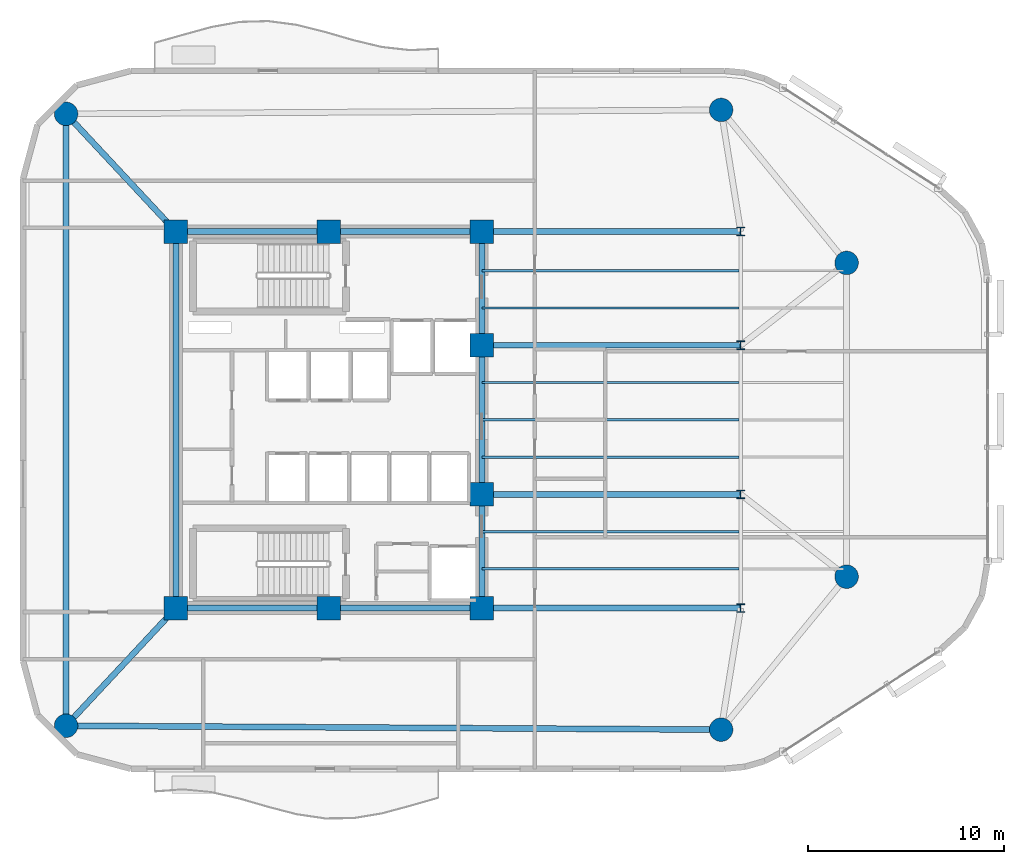
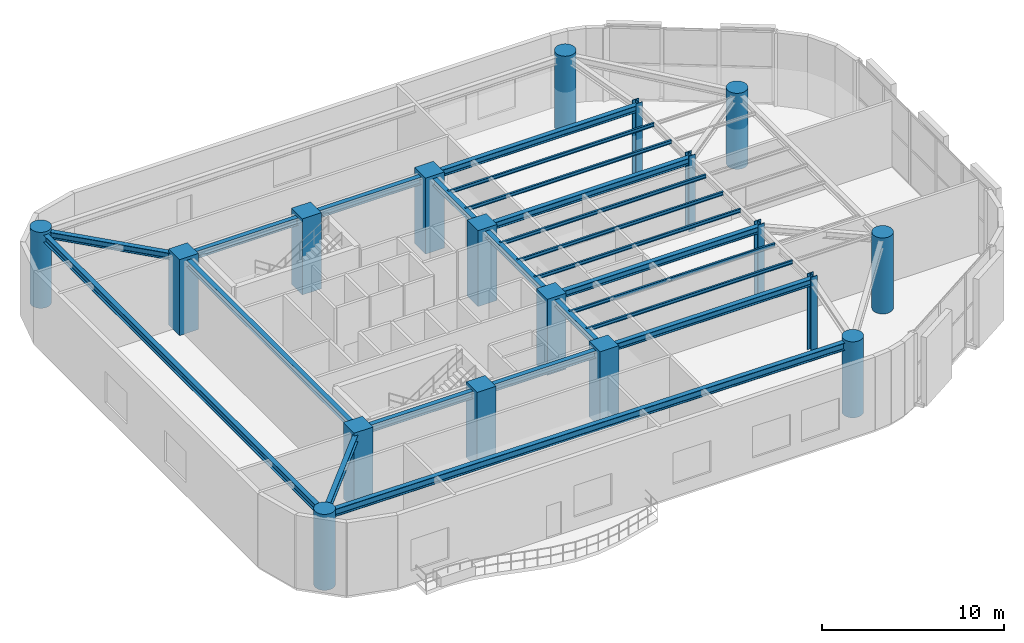
# One storey, part 1 of 12: 21 beams, 18 columns.
"""IFC4 building model written with IfcOpenShell, lengths in metres."""

from ifc_helpers import new_model, si_unit, direction, frame, origin, origin_2d, place, context, subcontext, project, spatial, rectangle, circle, i_section, extrude, material, material_profile, profile_set, type_object, element, save


model = new_model("IFC4")

# Units and contexts
model_context = context("Model", 3, precision=1e-05, world=origin(), true_north=direction((0.0, 1.0)))
body_context = subcontext(model_context, "Body", "Model", "MODEL_VIEW")
ifc_project = project(units=[si_unit("LENGTHUNIT", "METRE"), si_unit("AREAUNIT", "SQUARE_METRE"), si_unit("VOLUMEUNIT", "CUBIC_METRE"), si_unit("PLANEANGLEUNIT", "RADIAN"), si_unit("MASSUNIT", "GRAM", prefix="KILO")], contexts=[model_context])

# Site, building, storey
site_placement = place(None, origin())
site = spatial("IfcSite", under=ifc_project, at=site_placement, CompositionType="ELEMENT")
building_placement = place(site_placement, origin())
building = spatial("IfcBuilding", under=site, at=building_placement, Name="An Khanh Terracotta Commons", CompositionType="ELEMENT")
storey_placement = place(building_placement, frame((0.0, 0.0, 138.699951171875)))
storey = spatial("IfcBuildingStorey", under=building, at=storey_placement, Name="L36", CompositionType="ELEMENT", Elevation=138.699951171875)

# Columns
ifc_material_1 = material(Name="Concrete C60/75", Category="concrete")
ifc_material_profile_1 = material_profile(ifc_material_1, circle(Radius=0.60009765625, at=origin_2d()), Name="CFST1200")
ifc_profile_set_1 = profile_set([ifc_material_profile_1], Name="Concrete C60/75")
column_type_1 = type_object("IfcColumnType", Name="COL-CFST1200", PredefinedType="COLUMN", material=ifc_profile_set_1)
for number, where, z_axis, x_axis, name in (
    (1, (16.0, 8.39990234375, 0.0), (0.0, 0.0, 1.0), (1.0, 0.0, 0.0), "L36 Perimeter CFST Mega-Column MC-01"),
    (2, (49.39990234375, 8.199951171875, 0.0), (0.0, 0.0, 1.0), (1.0, 0.0, 0.0), "L36 Perimeter CFST Mega-Column MC-02"),
    (3, (55.800048828125, 16.0, 0.0), (0.0, 0.0, 1.0), (1.0, 0.0, 0.0), "L36 Perimeter CFST Mega-Column MC-03"),
    (4, (55.800048828125, 32.0, 0.0), (0.0, 0.0, 1.0), (1.0, 0.0, 0.0), "L36 Perimeter CFST Mega-Column MC-04"),
    (5, (49.39990234375, 39.800048828125, 0.0), (0.0, 0.0, 1.0), (1.0, 0.0, 0.0), "L36 Perimeter CFST Mega-Column MC-05"),
    (6, (16.0, 39.60009765625, 0.0), (0.0, 0.0, 1.0), (1.0, 0.0, 0.0), "L36 Perimeter CFST Mega-Column MC-06"),
):
    element("IfcColumn", number, at=place(storey_placement, frame(where, z_axis=z_axis, x_axis=x_axis)), inside=storey, type_object=column_type_1, Name=name, PredefinedType="COLUMN", context=body_context, shape_type="SweptSolid", body=[
        extrude(circle(Radius=0.60009765625, at=origin_2d()), origin(), (0.0, 0.0, 1.0), 5.10009765625),
    ])
ifc_material_2 = material(Name="Steel S460ML", Category="steel")
ifc_material_profile_2 = material_profile(ifc_material_2, i_section(OverallWidth=0.406005859375, OverallDepth=0.43994140625, WebThickness=0.02392578125, FlangeThickness=0.0390625, FilletRadius=0.014892578125, at=origin_2d()), Name="HD400x314")
ifc_profile_set_2 = profile_set([ifc_material_profile_2], Name="Steel S460ML")
column_type_2 = type_object("IfcColumnType", Name="COL-HD400x314", PredefinedType="COLUMN", material=ifc_profile_set_2)
for number, where, z_axis, x_axis, name in (
    (7, (50.39990234375, 14.39990234375, 0.0), (0.0, 0.0, 1.0), (1.0, 0.0, 0.0), "L36 Interior Frame Column TC-01"),
    (8, (50.39990234375, 20.199951171875, 0.0), (0.0, 0.0, 1.0), (1.0, 0.0, 0.0), "L36 Interior Frame Column TC-02"),
    (9, (50.39990234375, 27.800048828125, 0.0), (0.0, 0.0, 1.0), (1.0, 0.0, 0.0), "L36 Interior Frame Column TC-03"),
    (10, (50.39990234375, 33.60009765625, 0.0), (0.0, 0.0, 1.0), (1.0, 0.0, 0.0), "L36 Interior Frame Column TC-04"),
):
    element("IfcColumn", number, at=place(storey_placement, frame(where, z_axis=z_axis, x_axis=x_axis)), inside=storey, type_object=column_type_2, Name=name, PredefinedType="COLUMN", context=body_context, shape_type="SweptSolid", body=[
        extrude(i_section(OverallWidth=0.406005859375, OverallDepth=0.43994140625, WebThickness=0.02392578125, FlangeThickness=0.0390625, FilletRadius=0.014892578125, at=origin_2d()), origin(), (0.0, 0.0, 1.0), 5.10009765625),
    ])
ifc_material_profile_3 = material_profile(ifc_material_1, rectangle(XDim=1.199951171875, YDim=1.199951171875, at=origin_2d()), Name="RC1200x1200")
ifc_profile_set_3 = profile_set([ifc_material_profile_3], Name="Concrete C60/75")
column_type_3 = type_object("IfcColumnType", Name="COL-RC1200x1200", PredefinedType="COLUMN", material=ifc_profile_set_3)
for number, where, z_axis, x_axis, name in (
    (11, (21.60009765625, 14.39990234375, 0.0), (0.0, 0.0, 1.0), (1.0, 0.0, 0.0), "L36 Core Boundary Column CC-01"),
    (12, (29.39990234375, 14.39990234375, 0.0), (0.0, 0.0, 1.0), (1.0, 0.0, 0.0), "L36 Core Boundary Column CC-02"),
    (13, (37.199951171875, 14.39990234375, 0.0), (0.0, 0.0, 1.0), (1.0, 0.0, 0.0), "L36 Core Boundary Column CC-03"),
    (14, (37.199951171875, 20.199951171875, 0.0), (0.0, 0.0, 1.0), (1.0, 0.0, 0.0), "L36 Core Boundary Column CC-04"),
    (15, (37.199951171875, 27.800048828125, 0.0), (0.0, 0.0, 1.0), (1.0, 0.0, 0.0), "L36 Core Boundary Column CC-05"),
    (16, (37.199951171875, 33.60009765625, 0.0), (0.0, 0.0, 1.0), (1.0, 0.0, 0.0), "L36 Core Boundary Column CC-06"),
    (17, (29.39990234375, 33.60009765625, 0.0), (0.0, 0.0, 1.0), (1.0, 0.0, 0.0), "L36 Core Boundary Column CC-07"),
    (18, (21.60009765625, 33.60009765625, 0.0), (0.0, 0.0, 1.0), (1.0, 0.0, 0.0), "L36 Core Boundary Column CC-08"),
):
    element("IfcColumn", number, at=place(storey_placement, frame(where, z_axis=z_axis, x_axis=x_axis)), inside=storey, type_object=column_type_3, Name=name, PredefinedType="COLUMN", context=body_context, shape_type="SweptSolid", body=[
        extrude(rectangle(XDim=1.199951171875, YDim=1.199951171875, at=origin_2d()), origin(), (0.0, 0.0, 1.0), 5.10009765625),
    ])

# Beams
ifc_material_3 = material(Name="Steel S355J2", Category="steel")
ifc_material_profile_4 = material_profile(ifc_material_3, i_section(OverallWidth=0.300048828125, OverallDepth=0.449951171875, WebThickness=0.013916015625, FlangeThickness=0.02587890625, FilletRadius=0.027099609375, at=origin_2d()), Name="HEB450")
ifc_profile_set_4 = profile_set([ifc_material_profile_4], Name="Steel S355J2")
beam_type_1 = type_object("IfcBeamType", Name="BM-HEB450", PredefinedType="BEAM", material=ifc_profile_set_4)
beam_1_placement = place(storey_placement, frame((37.199951171875, 14.39990234375, 4.675048828125), z_axis=(0.0, 1.0, 0.0), x_axis=(-1.0, 0.0, 0.0)))
element("IfcBeam", 19, at=beam_1_placement, inside=storey, type_object=beam_type_1, Name="L36 Core East Coupling Girder 1", PredefinedType="BEAM", context=body_context, shape_type="SweptSolid", body=[
    extrude(i_section(OverallWidth=0.300048828125, OverallDepth=0.449951171875, WebThickness=0.013916015625, FlangeThickness=0.02587890625, FilletRadius=0.027099609375, at=origin_2d()), origin(), (0.0, 0.0, 1.0), 5.800048828125),
])
beam_2_placement = place(storey_placement, frame((37.199951171875, 20.199951171875, 4.675048828125), z_axis=(0.0, 1.0, 0.0), x_axis=(-1.0, 0.0, 0.0)))
element("IfcBeam", 20, at=beam_2_placement, inside=storey, type_object=beam_type_1, Name="L36 Core East Coupling Girder 2", PredefinedType="BEAM", context=body_context, shape_type="SweptSolid", body=[
    extrude(i_section(OverallWidth=0.300048828125, OverallDepth=0.449951171875, WebThickness=0.013916015625, FlangeThickness=0.02587890625, FilletRadius=0.027099609375, at=origin_2d()), origin(), (0.0, 0.0, 1.0), 7.60009765625),
])
beam_3_placement = place(storey_placement, frame((37.199951171875, 27.800048828125, 4.675048828125), z_axis=(0.0, 1.0, 0.0), x_axis=(-1.0, 0.0, 0.0)))
element("IfcBeam", 21, at=beam_3_placement, inside=storey, type_object=beam_type_1, Name="L36 Core East Coupling Girder 3", PredefinedType="BEAM", context=body_context, shape_type="SweptSolid", body=[
    extrude(i_section(OverallWidth=0.300048828125, OverallDepth=0.449951171875, WebThickness=0.013916015625, FlangeThickness=0.02587890625, FilletRadius=0.027099609375, at=origin_2d()), origin(), (0.0, 0.0, 1.0), 5.800048828125),
])
beam_4_placement = place(storey_placement, frame((21.60009765625, 14.39990234375, 4.675048828125), z_axis=(0.0, 1.0, 0.0), x_axis=(-1.0, 0.0, 0.0)))
element("IfcBeam", 22, at=beam_4_placement, inside=storey, type_object=beam_type_1, Name="L36 Core West Coupling Girder", PredefinedType="BEAM", context=body_context, shape_type="SweptSolid", body=[
    extrude(i_section(OverallWidth=0.300048828125, OverallDepth=0.449951171875, WebThickness=0.013916015625, FlangeThickness=0.02587890625, FilletRadius=0.027099609375, at=origin_2d()), origin(), (0.0, 0.0, 1.0), 19.2001953125),
])
for number, where, z_axis, x_axis, name in (
    (23, (37.199951171875, 14.39990234375, 4.675048828125), (1.0, 0.0, 0.0), (0.0, 1.0, 0.0), "L36 East Primary Floor Girder 1"),
    (24, (37.199951171875, 20.199951171875, 4.675048828125), (1.0, 0.0, 0.0), (0.0, 1.0, 0.0), "L36 East Primary Floor Girder 2"),
    (25, (37.199951171875, 27.800048828125, 4.675048828125), (1.0, 0.0, 0.0), (0.0, 1.0, 0.0), "L36 East Primary Floor Girder 3"),
    (26, (37.199951171875, 33.60009765625, 4.675048828125), (1.0, 0.0, 0.0), (0.0, 1.0, 0.0), "L36 East Primary Floor Girder 4"),
):
    element("IfcBeam", number, at=place(storey_placement, frame(where, z_axis=z_axis, x_axis=x_axis)), inside=storey, type_object=beam_type_1, Name=name, PredefinedType="BEAM", context=body_context, shape_type="SweptSolid", body=[
        extrude(i_section(OverallWidth=0.300048828125, OverallDepth=0.449951171875, WebThickness=0.013916015625, FlangeThickness=0.02587890625, FilletRadius=0.027099609375, at=origin_2d()), origin(), (0.0, 0.0, 1.0), 13.199951171875),
    ])
for number, where, z_axis, x_axis, name in (
    (27, (16.0, 8.39990234375, 4.675048828125), (0.682324609438, 0.731049333052, 0.0), (-0.731049333052, 0.682324609438, 0.0), "L36 Mega-Column Tie Girder 1"),
    (28, (16.0, 39.60009765625, 4.675048828125), (0.682324609438, -0.731049333052, 0.0), (0.731049333052, 0.682324609438, 0.0), "L36 Mega-Column Tie Girder 6"),
):
    element("IfcBeam", number, at=place(storey_placement, frame(where, z_axis=z_axis, x_axis=x_axis)), inside=storey, type_object=beam_type_1, Name=name, PredefinedType="BEAM", context=body_context, shape_type="SweptSolid", body=[
        extrude(i_section(OverallWidth=0.300048828125, OverallDepth=0.449951171875, WebThickness=0.013916015625, FlangeThickness=0.02587890625, FilletRadius=0.027099609375, at=origin_2d()), origin(), (0.0, 0.0, 1.0), 8.207275390625),
    ])
ifc_material_profile_5 = material_profile(ifc_material_3, i_section(OverallWidth=0.300048828125, OverallDepth=0.5, WebThickness=0.014404296875, FlangeThickness=0.028076171875, FilletRadius=0.027099609375, at=origin_2d()), Name="HEB500")
ifc_profile_set_5 = profile_set([ifc_material_profile_5], Name="Steel S355J2")
beam_type_2 = type_object("IfcBeamType", Name="BM-HEB500", PredefinedType="BEAM", material=ifc_profile_set_5)
for number, where, z_axis, x_axis, name in (
    (29, (21.60009765625, 14.39990234375, 4.650146484375), (1.0, 0.0, 0.0), (0.0, 1.0, 0.0), "L36 Core South Coupling Girder"),
    (30, (21.60009765625, 33.60009765625, 4.650146484375), (1.0, 0.0, 0.0), (0.0, 1.0, 0.0), "L36 Core North Coupling Girder"),
):
    element("IfcBeam", number, at=place(storey_placement, frame(where, z_axis=z_axis, x_axis=x_axis)), inside=storey, type_object=beam_type_2, Name=name, PredefinedType="BEAM", context=body_context, shape_type="SweptSolid", body=[
        extrude(i_section(OverallWidth=0.300048828125, OverallDepth=0.5, WebThickness=0.014404296875, FlangeThickness=0.028076171875, FilletRadius=0.027099609375, at=origin_2d()), origin(), (0.0, 0.0, 1.0), 15.599853515625),
    ])
beam_5_placement = place(storey_placement, frame((16.0, 8.39990234375, 4.650146484375), z_axis=(0.999982080914, -0.005986472262, 0.0), x_axis=(0.005986472262, 0.999982080914, 0.0)))
element("IfcBeam", 31, at=beam_5_placement, inside=storey, type_object=beam_type_2, Name="L36 Perimeter Ring Spandrel 1", PredefinedType="BEAM", context=body_context, shape_type="SweptSolid", body=[
    extrude(i_section(OverallWidth=0.300048828125, OverallDepth=0.5, WebThickness=0.014404296875, FlangeThickness=0.028076171875, FilletRadius=0.027099609375, at=origin_2d()), origin(), (0.0, 0.0, 1.0), 33.400390625),
])
beam_6_placement = place(storey_placement, frame((16.0, 39.60009765625, 4.650146484375), z_axis=(0.0, -1.0, 0.0), x_axis=(1.0, 0.0, 0.0)))
element("IfcBeam", 32, at=beam_6_placement, inside=storey, type_object=beam_type_2, Name="L36 Perimeter Ring Spandrel 6", PredefinedType="BEAM", context=body_context, shape_type="SweptSolid", body=[
    extrude(i_section(OverallWidth=0.300048828125, OverallDepth=0.5, WebThickness=0.014404296875, FlangeThickness=0.028076171875, FilletRadius=0.027099609375, at=origin_2d()), origin(), (0.0, 0.0, 1.0), 31.2001953125),
])
ifc_material_profile_6 = material_profile(ifc_material_3, i_section(OverallWidth=0.1201171875, OverallDepth=0.239990234375, WebThickness=0.006103515625, FlangeThickness=0.009765625, FilletRadius=0.014892578125, at=origin_2d()), Name="IPE240")
ifc_profile_set_6 = profile_set([ifc_material_profile_6], Name="Steel S355J2")
beam_type_3 = type_object("IfcBeamType", Name="BM-IPE240", PredefinedType="JOIST", material=ifc_profile_set_6)
for number, where, z_axis, x_axis, name in (
    (33, (37.199951171875, 16.39990234375, 4.780029296875), (1.0, 0.0, 0.0), (0.0, 1.0, 0.0), "L36 Inboard Composite Joist 1"),
    (34, (37.199951171875, 18.300048828125, 4.780029296875), (1.0, 0.0, 0.0), (0.0, 1.0, 0.0), "L36 Inboard Composite Joist 2"),
    (35, (37.199951171875, 22.10009765625, 4.780029296875), (1.0, 0.0, 0.0), (0.0, 1.0, 0.0), "L36 Inboard Composite Joist 3"),
    (36, (37.199951171875, 24.0, 4.780029296875), (1.0, 0.0, 0.0), (0.0, 1.0, 0.0), "L36 Inboard Composite Joist 4"),
    (37, (37.199951171875, 25.89990234375, 4.780029296875), (1.0, 0.0, 0.0), (0.0, 1.0, 0.0), "L36 Inboard Composite Joist 5"),
    (38, (37.199951171875, 29.699951171875, 4.780029296875), (1.0, 0.0, 0.0), (0.0, 1.0, 0.0), "L36 Inboard Composite Joist 6"),
    (39, (37.199951171875, 31.60009765625, 4.780029296875), (1.0, 0.0, 0.0), (0.0, 1.0, 0.0), "L36 Inboard Composite Joist 7"),
):
    element("IfcBeam", number, at=place(storey_placement, frame(where, z_axis=z_axis, x_axis=x_axis)), inside=storey, type_object=beam_type_3, Name=name, PredefinedType="JOIST", context=body_context, shape_type="SweptSolid", body=[
        extrude(i_section(OverallWidth=0.1201171875, OverallDepth=0.239990234375, WebThickness=0.006103515625, FlangeThickness=0.009765625, FilletRadius=0.014892578125, at=origin_2d()), origin(), (0.0, 0.0, 1.0), 13.10009765625),
    ])

save(model, "model.ifc")
